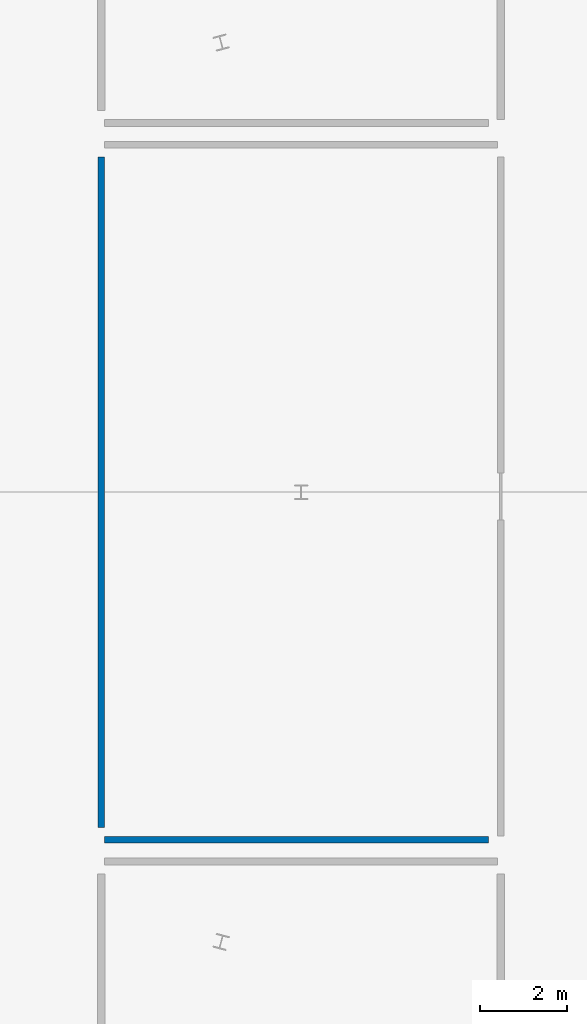
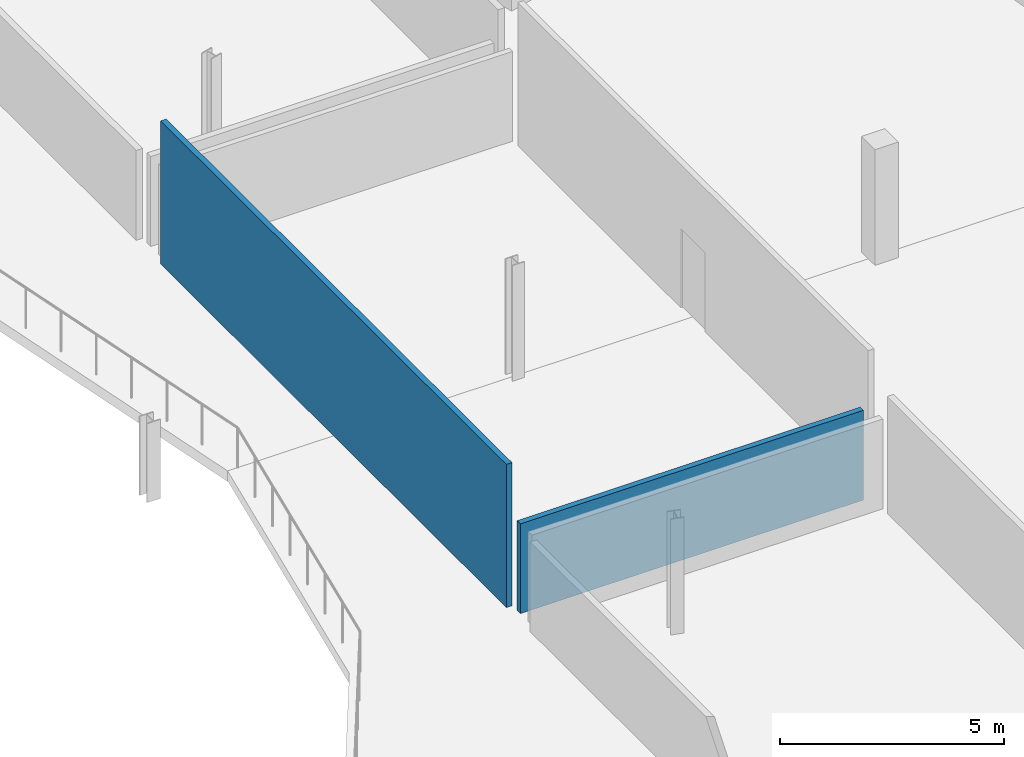
# One storey, part 28 of 35: 2 walls.
"""IFC4 building model written with IfcOpenShell, lengths in metres."""

from ifc_helpers import new_model, si_unit, direction, frame, frame_2d, origin, place, context, subcontext, project, spatial, rectangle, extrude, material, layer, layer_set, type_object, element, save


model = new_model("IFC4")

# Units and contexts
model_context = context("Model", 3, precision=1e-05, world=origin(), true_north=direction((0.0, 1.0)))
body_context = subcontext(model_context, "Body", "Model", "MODEL_VIEW")
ifc_project = project(units=[si_unit("LENGTHUNIT", "METRE"), si_unit("AREAUNIT", "SQUARE_METRE"), si_unit("VOLUMEUNIT", "CUBIC_METRE"), si_unit("PLANEANGLEUNIT", "RADIAN"), si_unit("MASSUNIT", "GRAM", prefix="KILO")], contexts=[model_context])

# Site, building, storey
site_placement = place(None, origin())
site = spatial("IfcSite", under=ifc_project, at=site_placement, CompositionType="ELEMENT")
building_placement = place(site_placement, origin())
building = spatial("IfcBuilding", under=site, at=building_placement, Name="Kalgoora Escarpment Arena", CompositionType="ELEMENT")
storey_placement = place(building_placement, frame((0.0, 0.0, 23.39990234375)))
storey = spatial("IfcBuildingStorey", under=building, at=storey_placement, Name="L05", CompositionType="ELEMENT", Elevation=23.39990234375)

# Walls
ifc_material = material(Name="Insulated steel-stud acoustic partition", Category="steel")
ifc_layer = layer(ifc_material, 0.14501953125)
ifc_layer_set = layer_set([ifc_layer], Name="WAL-ROOM-145")
wall_type = type_object("IfcWallType", Name="WAL-ROOM-145", PredefinedType="PARTITIONING", material=ifc_layer_set)
wall_1_placement = place(storey_placement, frame((150.715087890625, 56.0, 0.0), z_axis=(0.0, 0.0, 1.0), x_axis=(-1.0, 0.0, 0.0)))
element("IfcWall", 1, at=wall_1_placement, inside=storey, type_object=wall_type, Name="L05 Broadcast Rack Server Room partition wall", PredefinedType="PARTITIONING", context=body_context, shape_type="SweptSolid", body=[
    extrude(rectangle(XDim=8.835205078125, YDim=0.14501953125, at=frame_2d((4.41748046875, 0.0))), origin(), (0.0, 0.0, 1.0), 2.445068359375),
])
wall_2_placement = place(storey_placement, frame((141.800048828125, 56.284912109375, 0.0), z_axis=(0.0, 0.0, 1.0), x_axis=(0.0, 1.0, 0.0)))
element("IfcWall", 2, at=wall_2_placement, inside=storey, type_object=wall_type, Name="L05 Broadcast Rack Server Room partition wall", PredefinedType="PARTITIONING", context=body_context, shape_type="SweptSolid", body=[
    extrude(rectangle(XDim=15.43017578125, YDim=0.14501953125, at=frame_2d((7.715087890625, 0.0))), origin(), (0.0, 0.0, 1.0), 3.900146484375),
])

save(model, "model.ifc")
